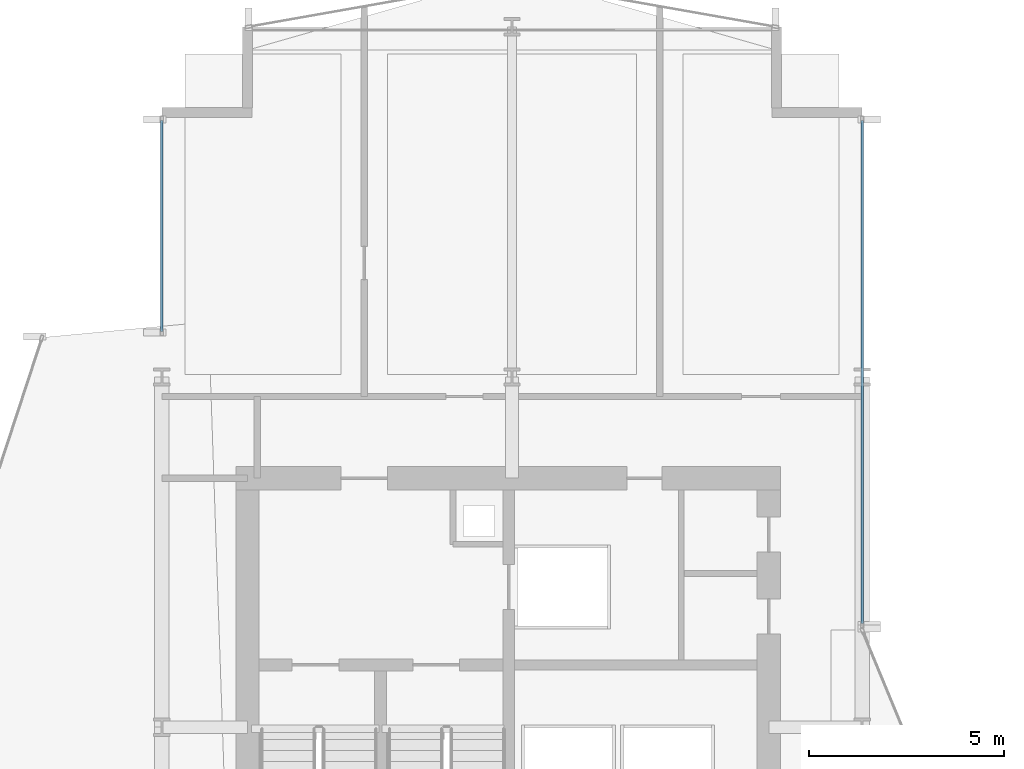
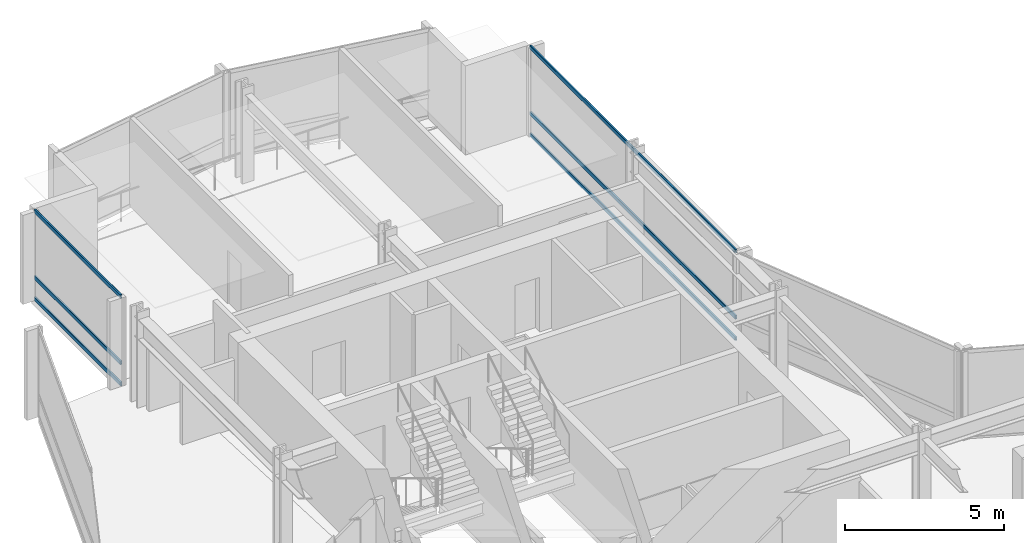
# One storey, part 22 of 34: 6 members, 2 elements without a shape of their own.
"""IFC4 building model written with IfcOpenShell, lengths in metres."""

from ifc_helpers import new_model, si_unit, direction, frame, origin, origin_2d, place, context, subcontext, project, spatial, hollow_rectangle, extrude, material, layer, layer_set, material_profile, profile_set, type_object, element, aggregate, save


model = new_model("IFC4")

# Units and contexts
model_context = context("Model", 3, precision=1e-05, world=origin(), true_north=direction((0.0, 1.0)))
body_context = subcontext(model_context, "Body", "Model", "MODEL_VIEW")
ifc_project = project(units=[si_unit("LENGTHUNIT", "METRE"), si_unit("AREAUNIT", "SQUARE_METRE"), si_unit("VOLUMEUNIT", "CUBIC_METRE"), si_unit("PLANEANGLEUNIT", "RADIAN"), si_unit("MASSUNIT", "GRAM", prefix="KILO")], contexts=[model_context])

# Site, building, storey
site_placement = place(None, origin())
site = spatial("IfcSite", under=ifc_project, at=site_placement, CompositionType="ELEMENT")
building_placement = place(site_placement, origin())
building = spatial("IfcBuilding", under=site, at=building_placement, Name="Solvaryn Broadcast Tower", CompositionType="ELEMENT")
storey_placement = place(building_placement, frame((0.0, 0.0, 76.699951171875)))
storey = spatial("IfcBuildingStorey", under=building, at=storey_placement, Name="L18", CompositionType="ELEMENT", Elevation=76.699951171875)

# Curtain wall, members
ifc_material_1 = material(Name="Aluminium and Terracotta Unitised Curtain Wall", Category="masonry")
ifc_layer = layer(ifc_material_1, 0.199951171875)
ifc_layer_set = layer_set([ifc_layer], Name="CW-SYS2-LOWMID")
curtain_wall_type = type_object("IfcCurtainWallType", Name="CW-SYS2-LOWMID", PredefinedType="NOTDEFINED", material=ifc_layer_set)
curtain_wall_1_placement = place(storey_placement, origin())
curtain_wall_1 = element("IfcCurtainWall", 1, at=curtain_wall_1_placement, inside=storey, type_object=curtain_wall_type, Name="L18 Curtain Wall W2", PredefinedType="NOTDEFINED")
ifc_material_2 = material(Name="Anodised Aluminium 6063-T6", Category="aluminium")
ifc_material_profile = material_profile(ifc_material_2, hollow_rectangle(XDim=0.06494140625, YDim=0.14990234375, WallThickness=0.00390625, InnerFilletRadius=0.00390625, OuterFilletRadius=0.008056640625, at=origin_2d()))
ifc_profile_set = profile_set([ifc_material_profile], Name="Anodised Aluminium 6063-T6")
member_type = type_object("IfcMemberType", Name="CW-TRN-150", PredefinedType="USERDEFINED", material=ifc_profile_set)
member_1_placement = place(storey_placement, frame((9.0, 46.176025390625, 0.030029296875), z_axis=(0.0, 1.0, 0.0), x_axis=(-1.0, 0.0, 0.0)))
member_1 = element("IfcMember", 2, at=member_1_placement, type_object=member_type, Name="CWS2 transom 1.1", ObjectType="TRANSOM", PredefinedType="USERDEFINED", context=body_context, shape_type="SweptSolid", body=[
    extrude(hollow_rectangle(XDim=0.06494140625, YDim=0.14990234375, WallThickness=0.00390625, InnerFilletRadius=0.00390625, OuterFilletRadius=0.008056640625, at=origin_2d()), origin(), (0.0, 0.0, 1.0), 5.4140625),
])
member_2_placement = place(storey_placement, frame((9.0, 46.176025390625, 0.85009765625), z_axis=(0.0, 1.0, 0.0), x_axis=(-1.0, 0.0, 0.0)))
member_2 = element("IfcMember", 3, at=member_2_placement, type_object=member_type, Name="CWS2 transom 1.2", ObjectType="TRANSOM", PredefinedType="USERDEFINED", context=body_context, shape_type="SweptSolid", body=[
    extrude(hollow_rectangle(XDim=0.06494140625, YDim=0.14990234375, WallThickness=0.00390625, InnerFilletRadius=0.00390625, OuterFilletRadius=0.008056640625, at=origin_2d()), origin(), (0.0, 0.0, 1.0), 5.4140625),
])
member_3_placement = place(storey_placement, frame((9.0, 46.176025390625, 3.39013671875), z_axis=(0.0, 1.0, 0.0), x_axis=(-1.0, 0.0, 0.0)))
member_3 = element("IfcMember", 4, at=member_3_placement, type_object=member_type, Name="CWS2 transom 1.3", ObjectType="TRANSOM", PredefinedType="USERDEFINED", context=body_context, shape_type="SweptSolid", body=[
    extrude(hollow_rectangle(XDim=0.06494140625, YDim=0.14990234375, WallThickness=0.00390625, InnerFilletRadius=0.00390625, OuterFilletRadius=0.008056640625, at=origin_2d()), origin(), (0.0, 0.0, 1.0), 5.4140625),
])
aggregate(curtain_wall_1, [member_1, member_2, member_3])

curtain_wall_2_placement = place(storey_placement, origin())
curtain_wall_2 = element("IfcCurtainWall", 5, at=curtain_wall_2_placement, inside=storey, type_object=curtain_wall_type, Name="L18 Curtain Wall IV", PredefinedType="NOTDEFINED")
member_4_placement = place(storey_placement, frame((27.0, 51.590087890625, 0.030029296875), z_axis=(0.0, -1.0, 0.0), x_axis=(1.0, 0.0, 0.0)))
member_4 = element("IfcMember", 6, at=member_4_placement, type_object=member_type, Name="CWS2 transom 1.1", ObjectType="TRANSOM", PredefinedType="USERDEFINED", context=body_context, shape_type="SweptSolid", body=[
    extrude(hollow_rectangle(XDim=0.06494140625, YDim=0.14990234375, WallThickness=0.00390625, InnerFilletRadius=0.00390625, OuterFilletRadius=0.008056640625, at=origin_2d()), origin(), (0.0, 0.0, 1.0), 12.93017578125),
])
member_5_placement = place(storey_placement, frame((27.0, 51.590087890625, 0.85009765625), z_axis=(0.0, -1.0, 0.0), x_axis=(1.0, 0.0, 0.0)))
member_5 = element("IfcMember", 7, at=member_5_placement, type_object=member_type, Name="CWS2 transom 1.2", ObjectType="TRANSOM", PredefinedType="USERDEFINED", context=body_context, shape_type="SweptSolid", body=[
    extrude(hollow_rectangle(XDim=0.06494140625, YDim=0.14990234375, WallThickness=0.00390625, InnerFilletRadius=0.00390625, OuterFilletRadius=0.008056640625, at=origin_2d()), origin(), (0.0, 0.0, 1.0), 12.93017578125),
])
member_6_placement = place(storey_placement, frame((27.0, 51.590087890625, 3.39013671875), z_axis=(0.0, -1.0, 0.0), x_axis=(1.0, 0.0, 0.0)))
member_6 = element("IfcMember", 8, at=member_6_placement, type_object=member_type, Name="CWS2 transom 1.3", ObjectType="TRANSOM", PredefinedType="USERDEFINED", context=body_context, shape_type="SweptSolid", body=[
    extrude(hollow_rectangle(XDim=0.06494140625, YDim=0.14990234375, WallThickness=0.00390625, InnerFilletRadius=0.00390625, OuterFilletRadius=0.008056640625, at=origin_2d()), origin(), (0.0, 0.0, 1.0), 12.93017578125),
])
aggregate(curtain_wall_2, [member_4, member_5, member_6])

save(model, "model.ifc")
